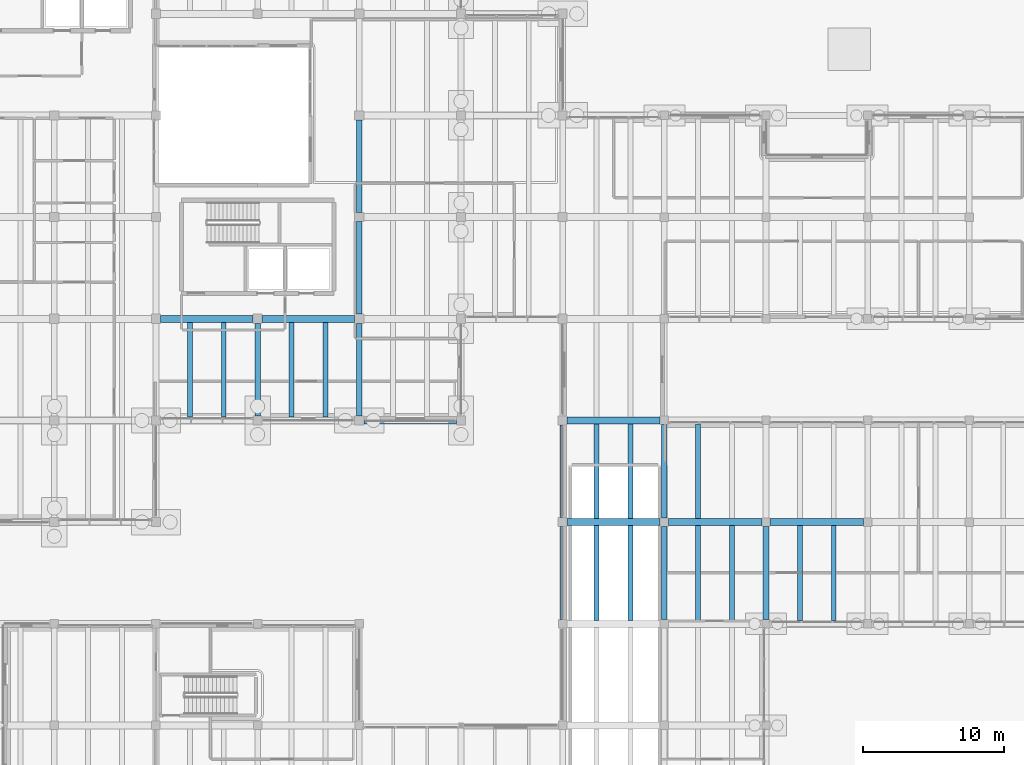
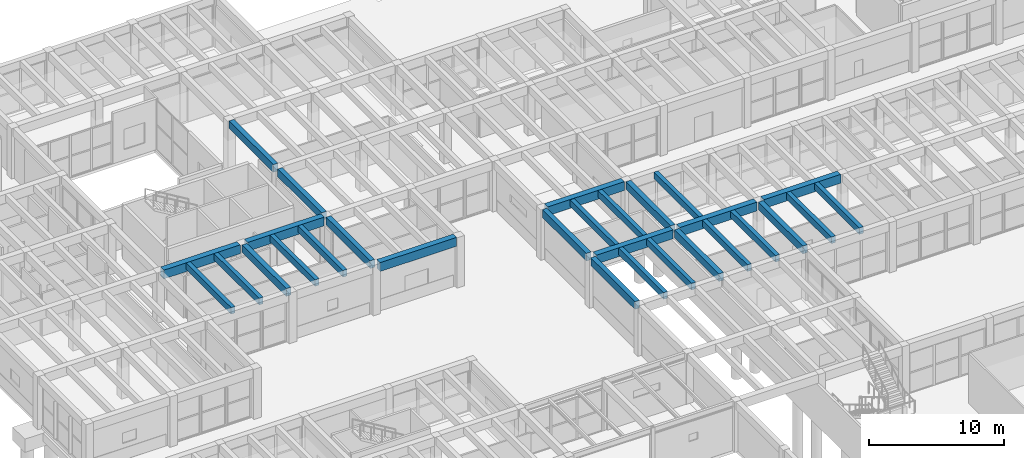
# One storey, part 65 of 155: 29 beams.
"""IFC4 building model written with IfcOpenShell, lengths in metres."""

from ifc_helpers import new_model, si_unit, direction, frame, origin, origin_2d, place, context, subcontext, project, spatial, rectangle, extrude, material, material_profile, profile_set, type_object, element, save


model = new_model("IFC4")

# Units and contexts
model_context = context("Model", 3, precision=1e-05, world=origin(), true_north=direction((0.0, 1.0)))
body_context = subcontext(model_context, "Body", "Model", "MODEL_VIEW")
ifc_project = project(units=[si_unit("LENGTHUNIT", "METRE"), si_unit("AREAUNIT", "SQUARE_METRE"), si_unit("VOLUMEUNIT", "CUBIC_METRE"), si_unit("PLANEANGLEUNIT", "RADIAN"), si_unit("MASSUNIT", "GRAM", prefix="KILO")], contexts=[model_context])

# Site, building, storey
site_placement = place(None, origin())
site = spatial("IfcSite", under=ifc_project, at=site_placement, CompositionType="ELEMENT")
building_placement = place(site_placement, origin())
building = spatial("IfcBuilding", under=site, at=building_placement, Name="Bramvelor Terrace Health Centre", CompositionType="ELEMENT")
storey_placement = place(building_placement, origin())
storey = spatial("IfcBuildingStorey", under=building, at=storey_placement, Name="L01", CompositionType="ELEMENT", Elevation=0.0)

# Beams
ifc_material_1 = material(Name="Concrete C40/50", Category="concrete")
ifc_material_profile_1 = material_profile(ifc_material_1, rectangle(XDim=0.39990234375, YDim=0.699951171875, at=origin_2d()), Name="RC 400x700")
ifc_profile_set_1 = profile_set([ifc_material_profile_1], Name="Concrete C40/50")
beam_type_1 = type_object("IfcBeamType", Name="BM-RC-G700", PredefinedType="BEAM", material=ifc_profile_set_1)
for number, where, z_axis, x_axis, name in (
    (1, (21.60009765625, 79.52490234375, 4.2099609375), (0.0, 1.0, 0.0), (-1.0, 0.0, 0.0), "L01 Floor Girder"),
    (2, (28.800048828125, 79.52490234375, 4.2099609375), (0.0, 1.0, 0.0), (-1.0, 0.0, 0.0), "L01 Floor Girder"),
):
    element("IfcBeam", number, at=place(storey_placement, frame(where, z_axis=z_axis, x_axis=x_axis)), inside=storey, type_object=beam_type_1, Name=name, PredefinedType="BEAM", context=body_context, shape_type="SweptSolid", body=[
        extrude(rectangle(XDim=0.39990234375, YDim=0.699951171875, at=origin_2d()), origin(), (0.0, 0.0, 1.0), 6.550048828125),
    ])
beam_1_placement = place(storey_placement, frame((28.800048828125, 86.72509765625, 4.2099609375), z_axis=(0.0, 1.0, 0.0), x_axis=(-1.0, 0.0, 0.0)))
element("IfcBeam", 3, at=beam_1_placement, inside=storey, type_object=beam_type_1, Name="L01 Floor Girder", PredefinedType="BEAM", context=body_context, shape_type="SweptSolid", body=[
    extrude(rectangle(XDim=0.39990234375, YDim=0.699951171875, at=origin_2d()), origin(), (0.0, 0.0, 1.0), 6.5498046875),
])
beam_2_placement = place(storey_placement, frame((28.800048828125, 93.925048828125, 4.2099609375), z_axis=(0.0, 1.0, 0.0), x_axis=(-1.0, 0.0, 0.0)))
element("IfcBeam", 4, at=beam_2_placement, inside=storey, type_object=beam_type_1, Name="L01 Floor Girder", PredefinedType="BEAM", context=body_context, shape_type="SweptSolid", body=[
    extrude(rectangle(XDim=0.39990234375, YDim=0.699951171875, at=origin_2d()), origin(), (0.0, 0.0, 1.0), 6.550048828125),
])
beam_3_placement = place(storey_placement, frame((43.199951171875, 65.10009765625, 4.2099609375), z_axis=(0.0, 1.0, 0.0), x_axis=(-1.0, 0.0, 0.0)))
element("IfcBeam", 5, at=beam_3_placement, inside=storey, type_object=beam_type_1, Name="L01 Floor Girder", PredefinedType="BEAM", context=body_context, shape_type="SweptSolid", body=[
    extrude(rectangle(XDim=0.39990234375, YDim=0.699951171875, at=origin_2d()), origin(), (0.0, 0.0, 1.0), 6.574951171875),
])
beam_4_placement = place(storey_placement, frame((43.199951171875, 72.324951171875, 4.2099609375), z_axis=(0.0, 1.0, 0.0), x_axis=(-1.0, 0.0, 0.0)))
element("IfcBeam", 6, at=beam_4_placement, inside=storey, type_object=beam_type_1, Name="L01 Floor Girder", PredefinedType="BEAM", context=body_context, shape_type="SweptSolid", body=[
    extrude(rectangle(XDim=0.39990234375, YDim=0.699951171875, at=origin_2d()), origin(), (0.0, 0.0, 1.0), 6.550048828125),
])
for number, where, z_axis, x_axis, name in (
    (7, (50.39990234375, 65.10009765625, 4.2099609375), (0.0, 1.0, 0.0), (-1.0, 0.0, 0.0), "L01 Floor Girder"),
    (8, (50.39990234375, 72.300048828125, 4.2099609375), (0.0, 1.0, 0.0), (-1.0, 0.0, 0.0), "L01 Floor Girder"),
    (9, (57.60009765625, 65.10009765625, 4.2099609375), (0.0, 1.0, 0.0), (-1.0, 0.0, 0.0), "L01 Floor Girder"),
):
    element("IfcBeam", number, at=place(storey_placement, frame(where, z_axis=z_axis, x_axis=x_axis)), inside=storey, type_object=beam_type_1, Name=name, PredefinedType="BEAM", context=body_context, shape_type="SweptSolid", body=[
        extrude(rectangle(XDim=0.39990234375, YDim=0.699951171875, at=origin_2d()), origin(), (0.0, 0.0, 1.0), 6.599853515625),
    ])
ifc_material_2 = material(Name="Concrete C40/50", Category="concrete")
ifc_material_profile_2 = material_profile(ifc_material_2, rectangle(XDim=0.5, YDim=0.800048828125, at=origin_2d()), Name="RC 500x800")
ifc_profile_set_2 = profile_set([ifc_material_profile_2], Name="Concrete C40/50")
beam_type_2 = type_object("IfcBeamType", Name="BM-RC-G800", PredefinedType="BEAM", material=ifc_profile_set_2)
beam_5_placement = place(storey_placement, frame((14.72509765625, 86.39990234375, 4.159912109375), z_axis=(1.0, 0.0, 0.0), x_axis=(0.0, 1.0, 0.0)))
element("IfcBeam", 10, at=beam_5_placement, inside=storey, type_object=beam_type_2, Name="L01 Floor Girder", PredefinedType="BEAM", context=body_context, shape_type="SweptSolid", body=[
    extrude(rectangle(XDim=0.5, YDim=0.800048828125, at=origin_2d()), origin(), (0.0, 0.0, 1.0), 6.5498046875),
])
for number, where, z_axis, x_axis, name in (
    (11, (21.925048828125, 86.39990234375, 4.159912109375), (1.0, 0.0, 0.0), (0.0, 1.0, 0.0), "L01 Floor Girder"),
    (12, (29.125, 79.199951171875, 4.159912109375), (1.0, 0.0, 0.0), (0.0, 1.0, 0.0), "L01 Floor Girder"),
):
    element("IfcBeam", number, at=place(storey_placement, frame(where, z_axis=z_axis, x_axis=x_axis)), inside=storey, type_object=beam_type_2, Name=name, PredefinedType="BEAM", context=body_context, shape_type="SweptSolid", body=[
        extrude(rectangle(XDim=0.5, YDim=0.800048828125, at=origin_2d()), origin(), (0.0, 0.0, 1.0), 6.550048828125),
    ])
for number, where, z_axis, x_axis, name in (
    (13, (43.52490234375, 72.0, 4.159912109375), (1.0, 0.0, 0.0), (0.0, 1.0, 0.0), "L01 Floor Girder"),
    (14, (43.52490234375, 79.199951171875, 4.179931640625), (1.0, 0.0, 0.0), (0.0, 1.0, 0.0), "L01 Floor Girder"),
):
    element("IfcBeam", number, at=place(storey_placement, frame(where, z_axis=z_axis, x_axis=x_axis)), inside=storey, type_object=beam_type_2, Name=name, PredefinedType="BEAM", context=body_context, shape_type="SweptSolid", body=[
        extrude(rectangle(XDim=0.5, YDim=0.800048828125, at=origin_2d()), origin(), (0.0, 0.0, 1.0), 6.5751953125),
    ])
for number, where, z_axis, x_axis, name in (
    (15, (50.699951171875, 72.0, 4.159912109375), (1.0, 0.0, 0.0), (0.0, 1.0, 0.0), "L01 Floor Girder"),
    (16, (57.89990234375, 72.0, 4.159912109375), (1.0, 0.0, 0.0), (0.0, 1.0, 0.0), "L01 Floor Girder"),
):
    element("IfcBeam", number, at=place(storey_placement, frame(where, z_axis=z_axis, x_axis=x_axis)), inside=storey, type_object=beam_type_2, Name=name, PredefinedType="BEAM", context=body_context, shape_type="SweptSolid", body=[
        extrude(rectangle(XDim=0.5, YDim=0.800048828125, at=origin_2d()), origin(), (0.0, 0.0, 1.0), 6.60009765625),
    ])
ifc_material_3 = material(Name="Concrete C40/50", Category="concrete")
ifc_material_profile_3 = material_profile(ifc_material_3, rectangle(XDim=0.35009765625, YDim=0.60009765625, at=origin_2d()), Name="RC 350x600")
ifc_profile_set_3 = profile_set([ifc_material_profile_3], Name="Concrete C40/50")
beam_type_3 = type_object("IfcBeamType", Name="BM-RC-J600", PredefinedType="JOIST", material=ifc_profile_set_3)
for number, where, z_axis, x_axis, name in (
    (17, (16.800048828125, 79.449951171875, 4.260009765625), (0.0, 1.0, 0.0), (-1.0, 0.0, 0.0), "L01 Secondary Floor Joist"),
    (18, (19.199951171875, 79.449951171875, 4.260009765625), (0.0, 1.0, 0.0), (-1.0, 0.0, 0.0), "L01 Secondary Floor Joist"),
    (19, (24.0, 79.449951171875, 4.260009765625), (0.0, 1.0, 0.0), (-1.0, 0.0, 0.0), "L01 Secondary Floor Joist"),
    (20, (26.39990234375, 79.449951171875, 4.260009765625), (0.0, 1.0, 0.0), (-1.0, 0.0, 0.0), "L01 Secondary Floor Joist"),
    (21, (45.60009765625, 65.050048828125, 4.260009765625), (0.0, 1.0, 0.0), (-1.0, 0.0, 0.0), "L01 Secondary Floor Joist"),
    (22, (48.0, 65.050048828125, 4.260009765625), (0.0, 1.0, 0.0), (-1.0, 0.0, 0.0), "L01 Secondary Floor Joist"),
    (23, (45.60009765625, 72.25, 4.260009765625), (0.0, 1.0, 0.0), (-1.0, 0.0, 0.0), "L01 Secondary Floor Joist"),
    (24, (48.0, 72.25, 4.260009765625), (0.0, 1.0, 0.0), (-1.0, 0.0, 0.0), "L01 Secondary Floor Joist"),
    (25, (52.800048828125, 65.050048828125, 4.260009765625), (0.0, 1.0, 0.0), (-1.0, 0.0, 0.0), "L01 Secondary Floor Joist"),
    (26, (55.199951171875, 65.050048828125, 4.260009765625), (0.0, 1.0, 0.0), (-1.0, 0.0, 0.0), "L01 Secondary Floor Joist"),
    (27, (52.800048828125, 72.25, 4.260009765625), (0.0, 1.0, 0.0), (-1.0, 0.0, 0.0), "L01 Secondary Floor Joist"),
    (28, (60.0, 65.050048828125, 4.260009765625), (0.0, 1.0, 0.0), (-1.0, 0.0, 0.0), "L01 Secondary Floor Joist"),
    (29, (62.39990234375, 65.050048828125, 4.260009765625), (0.0, 1.0, 0.0), (-1.0, 0.0, 0.0), "L01 Secondary Floor Joist"),
):
    element("IfcBeam", number, at=place(storey_placement, frame(where, z_axis=z_axis, x_axis=x_axis)), inside=storey, type_object=beam_type_3, Name=name, PredefinedType="JOIST", context=body_context, shape_type="SweptSolid", body=[
        extrude(rectangle(XDim=0.35009765625, YDim=0.60009765625, at=origin_2d()), origin(), (0.0, 0.0, 1.0), 6.699951171875),
    ])

save(model, "model.ifc")
